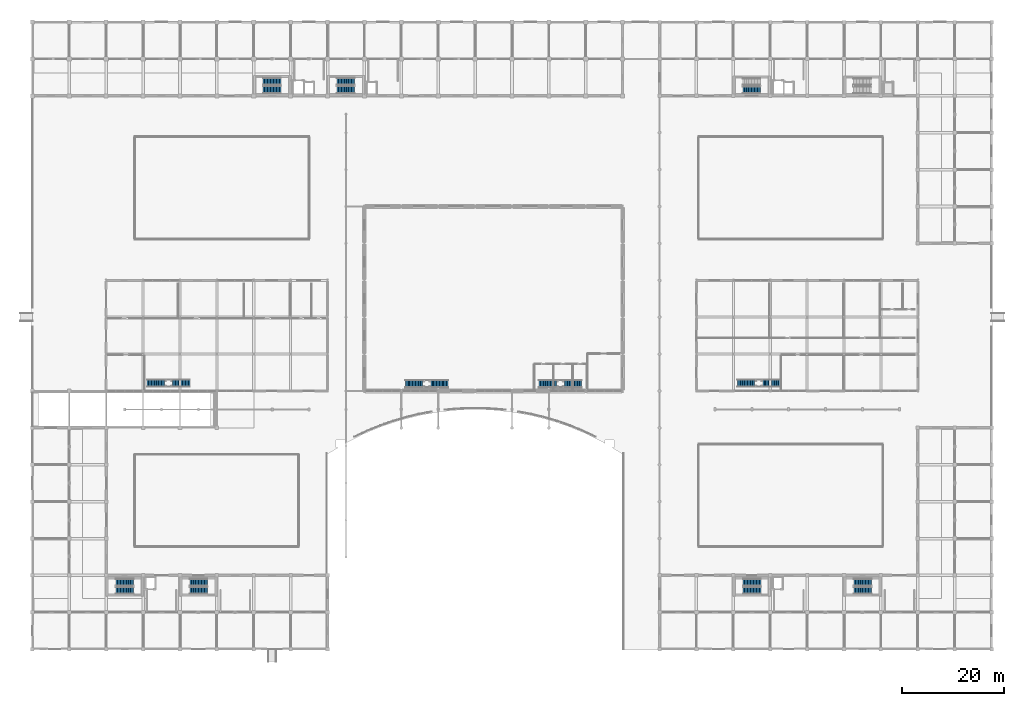
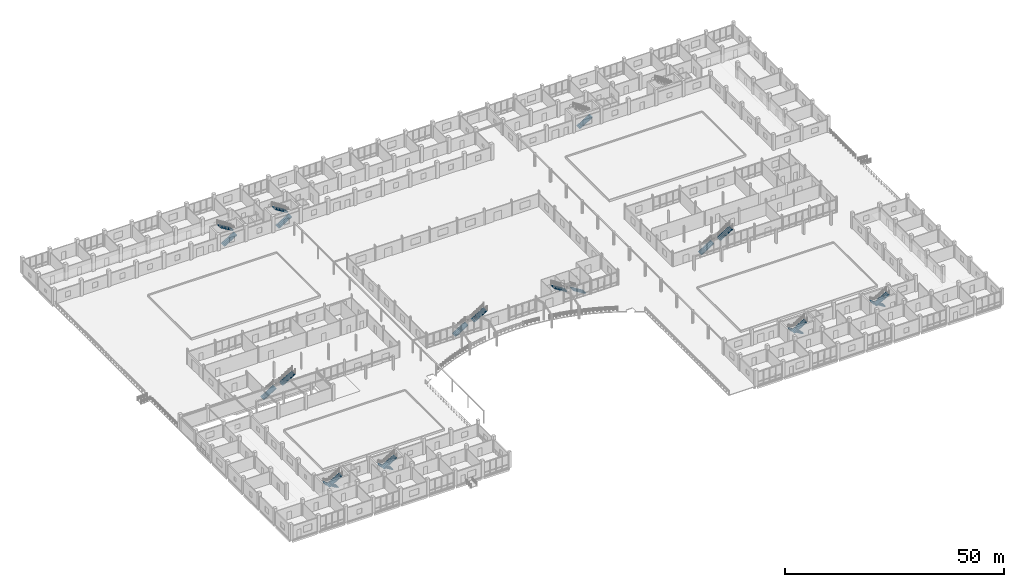
# One storey, part 127 of 139: 21 stair flights, 11 elements without a shape of their own.
"""IFC4 building model written with IfcOpenShell, lengths in metres."""

from ifc_helpers import new_model, si_unit, direction, frame, origin, place, context, subcontext, project, spatial, polyline, outline, extrude, material, type_object, element, aggregate, save


model = new_model("IFC4")

# Units and contexts
model_context = context("Model", 3, precision=1e-05, world=origin(), true_north=direction((0.0, 1.0)))
body_context = subcontext(model_context, "Body", "Model", "MODEL_VIEW")
ifc_project = project(units=[si_unit("LENGTHUNIT", "METRE"), si_unit("AREAUNIT", "SQUARE_METRE"), si_unit("VOLUMEUNIT", "CUBIC_METRE"), si_unit("PLANEANGLEUNIT", "RADIAN"), si_unit("MASSUNIT", "GRAM", prefix="KILO")], contexts=[model_context])

# Site, building, storey
site_placement = place(None, origin())
site = spatial("IfcSite", under=ifc_project, at=site_placement, CompositionType="ELEMENT")
building_placement = place(site_placement, origin())
building = spatial("IfcBuilding", under=site, at=building_placement, Name="Suanplinth Sawtooth Commons", CompositionType="ELEMENT")
storey_placement = place(building_placement, origin())
storey = spatial("IfcBuildingStorey", under=building, at=storey_placement, Name="L00", CompositionType="ELEMENT", Elevation=0.0)

# Stair, stair flights
ifc_material = material(Name="Concrete C40/50", Category="concrete")
stair_type_1 = type_object("IfcStairType", Name="ST-02", PredefinedType="USERDEFINED", material=ifc_material)
stair_1_placement = place(storey_placement, origin())
stair_1 = element("IfcStair", 1, at=stair_1_placement, inside=storey, type_object=stair_type_1, Name="L00 Exit Stair ST-N1", ObjectType="TWO_RETURN_STAIR", PredefinedType="USERDEFINED")
stair_flight_type_1 = type_object("IfcStairFlightType", Name="SF-02", PredefinedType="STRAIGHT", material=ifc_material)
stair_flight_1_placement = place(storey_placement, frame((45.050048828125, 109.175048828125, 0.0), z_axis=(0.0, 0.0, 1.0), x_axis=(1.0, 0.0, 0.0)))
stair_flight_1 = element("IfcStairFlight", 2, at=stair_flight_1_placement, type_object=stair_flight_type_1, Name="ST-02 flight 1", NumberOfRisers=13, NumberOfTreads=12, PredefinedType="STRAIGHT", RiserHeight=0.173076923, TreadLength=0.285, context=body_context, shape_type="SweptSolid", body=[
    extrude(outline(polyline([(0.0, 0.0), (0.0, 0.173095703125), (0.284912109375, 0.173095703125), (0.284912109375, 0.34619140625), (0.570068359375, 0.34619140625), (0.570068359375, 0.519287109375), (0.85498046875, 0.519287109375), (0.85498046875, 0.6923828125), (1.139892578125, 0.6923828125), (1.139892578125, 0.865478515625), (1.425048828125, 0.865478515625), (1.425048828125, 1.03857421875), (1.7099609375, 1.03857421875), (1.7099609375, 1.21142578125), (1.9951171875, 1.21142578125), (1.9951171875, 1.384521484375), (2.280029296875, 1.384521484375), (2.280029296875, 1.5576171875), (2.56494140625, 1.5576171875), (2.56494140625, 1.730712890625), (2.85009765625, 1.730712890625), (2.85009765625, 1.90380859375), (3.135009765625, 1.90380859375), (3.135009765625, 2.076904296875), (3.419921875, 2.076904296875), (3.419921875, 2.25), (3.419921875, 1.889892578125), (0.30810546875, 0.0), (0.0, 0.0)])), frame((0.0, 0.72509765625, 0.0), z_axis=(0.0, -1.0, 0.0), x_axis=(1.0, 0.0, 0.0)), (0.0, 0.0, 1.0), 1.449951171875),
])
stair_flight_2_placement = place(storey_placement, frame((48.469970703125, 110.824951171875, 2.25), z_axis=(0.0, 0.0, 1.0), x_axis=(-1.0, 0.0, 0.0)))
stair_flight_2 = element("IfcStairFlight", 3, at=stair_flight_2_placement, type_object=stair_flight_type_1, Name="ST-02 flight 2", NumberOfRisers=13, NumberOfTreads=12, PredefinedType="STRAIGHT", RiserHeight=0.173076923, TreadLength=0.285, context=body_context, shape_type="SweptSolid", body=[
    extrude(outline(polyline([(0.0, 0.0), (0.0, 0.173095703125), (0.284912109375, 0.173095703125), (0.284912109375, 0.34619140625), (0.570068359375, 0.34619140625), (0.570068359375, 0.519287109375), (0.85498046875, 0.519287109375), (0.85498046875, 0.6923828125), (1.139892578125, 0.6923828125), (1.139892578125, 0.865478515625), (1.425048828125, 0.865478515625), (1.425048828125, 1.03857421875), (1.7099609375, 1.03857421875), (1.7099609375, 1.21142578125), (1.9951171875, 1.21142578125), (1.9951171875, 1.384521484375), (2.280029296875, 1.384521484375), (2.280029296875, 1.5576171875), (2.56494140625, 1.5576171875), (2.56494140625, 1.730712890625), (2.85009765625, 1.730712890625), (2.85009765625, 1.90380859375), (3.135009765625, 1.90380859375), (3.135009765625, 2.076904296875), (3.419921875, 2.076904296875), (3.419921875, 2.25), (3.419921875, 1.889892578125), (0.30810546875, 0.0), (0.0, 0.0)])), frame((0.0, 0.72509765625, 0.0), z_axis=(0.0, -1.0, 0.0), x_axis=(1.0, 0.0, 0.0)), (0.0, 0.0, 1.0), 1.449951171875),
])
aggregate(stair_1, [stair_flight_1, stair_flight_2])

stair_2_placement = place(storey_placement, origin())
stair_2 = element("IfcStair", 4, at=stair_2_placement, inside=storey, type_object=stair_type_1, Name="L00 Exit Stair ST-N2", ObjectType="TWO_RETURN_STAIR", PredefinedType="USERDEFINED")
stair_flight_3_placement = place(storey_placement, frame((59.449951171875, 109.175048828125, 0.0), z_axis=(0.0, 0.0, 1.0), x_axis=(1.0, 0.0, 0.0)))
stair_flight_3 = element("IfcStairFlight", 5, at=stair_flight_3_placement, type_object=stair_flight_type_1, Name="ST-02 flight 1", NumberOfRisers=13, NumberOfTreads=12, PredefinedType="STRAIGHT", RiserHeight=0.173076923, TreadLength=0.285, context=body_context, shape_type="SweptSolid", body=[
    extrude(outline(polyline([(0.0, 0.0), (0.0, 0.173095703125), (0.284912109375, 0.173095703125), (0.284912109375, 0.34619140625), (0.570068359375, 0.34619140625), (0.570068359375, 0.519287109375), (0.85498046875, 0.519287109375), (0.85498046875, 0.6923828125), (1.139892578125, 0.6923828125), (1.139892578125, 0.865478515625), (1.425048828125, 0.865478515625), (1.425048828125, 1.03857421875), (1.7099609375, 1.03857421875), (1.7099609375, 1.21142578125), (1.9951171875, 1.21142578125), (1.9951171875, 1.384521484375), (2.280029296875, 1.384521484375), (2.280029296875, 1.5576171875), (2.56494140625, 1.5576171875), (2.56494140625, 1.730712890625), (2.85009765625, 1.730712890625), (2.85009765625, 1.90380859375), (3.135009765625, 1.90380859375), (3.135009765625, 2.076904296875), (3.419921875, 2.076904296875), (3.419921875, 2.25), (3.419921875, 1.889892578125), (0.30810546875, 0.0), (0.0, 0.0)])), frame((0.0, 0.72509765625, 0.0), z_axis=(0.0, -1.0, 0.0), x_axis=(1.0, 0.0, 0.0)), (0.0, 0.0, 1.0), 1.449951171875),
])
stair_flight_4_placement = place(storey_placement, frame((62.8701171875, 110.824951171875, 2.25), z_axis=(0.0, 0.0, 1.0), x_axis=(-1.0, 0.0, 0.0)))
stair_flight_4 = element("IfcStairFlight", 6, at=stair_flight_4_placement, type_object=stair_flight_type_1, Name="ST-02 flight 2", NumberOfRisers=13, NumberOfTreads=12, PredefinedType="STRAIGHT", RiserHeight=0.173076923, TreadLength=0.285, context=body_context, shape_type="SweptSolid", body=[
    extrude(outline(polyline([(0.0, 0.0), (0.0, 0.173095703125), (0.284912109375, 0.173095703125), (0.284912109375, 0.34619140625), (0.570068359375, 0.34619140625), (0.570068359375, 0.519287109375), (0.85498046875, 0.519287109375), (0.85498046875, 0.6923828125), (1.139892578125, 0.6923828125), (1.139892578125, 0.865478515625), (1.425048828125, 0.865478515625), (1.425048828125, 1.03857421875), (1.7099609375, 1.03857421875), (1.7099609375, 1.21142578125), (1.9951171875, 1.21142578125), (1.9951171875, 1.384521484375), (2.280029296875, 1.384521484375), (2.280029296875, 1.5576171875), (2.56494140625, 1.5576171875), (2.56494140625, 1.730712890625), (2.85009765625, 1.730712890625), (2.85009765625, 1.90380859375), (3.135009765625, 1.90380859375), (3.135009765625, 2.076904296875), (3.419921875, 2.076904296875), (3.419921875, 2.25), (3.419921875, 1.889892578125), (0.30810546875, 0.0), (0.0, 0.0)])), frame((0.0, 0.72509765625, 0.0), z_axis=(0.0, -1.0, 0.0), x_axis=(1.0, 0.0, 0.0)), (0.0, 0.0, 1.0), 1.449951171875),
])
aggregate(stair_2, [stair_flight_3, stair_flight_4])

# Stair, stair flight
stair_type_2 = type_object("IfcStairType", Name="ST-06", PredefinedType="USERDEFINED", material=ifc_material)
stair_3_placement = place(storey_placement, origin())
stair_3 = element("IfcStair", 7, at=stair_3_placement, inside=storey, type_object=stair_type_2, Name="L00 Exit Stair ST-E1", ObjectType="TWO_RETURN_STAIR", PredefinedType="USERDEFINED")
stair_flight_type_2 = type_object("IfcStairFlightType", Name="SF-06", PredefinedType="STRAIGHT", material=ifc_material)
stair_flight_5_placement = place(storey_placement, frame((138.64990234375, 109.14990234375, 0.0), z_axis=(0.0, 0.0, 1.0), x_axis=(1.0, 0.0, 0.0)))
stair_flight_5 = element("IfcStairFlight", 8, at=stair_flight_5_placement, type_object=stair_flight_type_2, Name="ST-06 flight 1", NumberOfRisers=13, NumberOfTreads=12, PredefinedType="STRAIGHT", RiserHeight=0.173076923, TreadLength=0.285, context=body_context, shape_type="SweptSolid", body=[
    extrude(outline(polyline([(0.0, 0.0), (0.0, 0.173095703125), (0.284912109375, 0.173095703125), (0.284912109375, 0.34619140625), (0.570068359375, 0.34619140625), (0.570068359375, 0.519287109375), (0.85498046875, 0.519287109375), (0.85498046875, 0.6923828125), (1.139892578125, 0.6923828125), (1.139892578125, 0.865478515625), (1.425048828125, 0.865478515625), (1.425048828125, 1.03857421875), (1.7099609375, 1.03857421875), (1.7099609375, 1.21142578125), (1.9951171875, 1.21142578125), (1.9951171875, 1.384521484375), (2.280029296875, 1.384521484375), (2.280029296875, 1.5576171875), (2.56494140625, 1.5576171875), (2.56494140625, 1.730712890625), (2.85009765625, 1.730712890625), (2.85009765625, 1.90380859375), (3.135009765625, 1.90380859375), (3.135009765625, 2.076904296875), (3.419921875, 2.076904296875), (3.419921875, 2.25), (3.419921875, 1.889892578125), (0.30810546875, 0.0), (0.0, 0.0)])), frame((0.0, 0.699951171875, 0.0), z_axis=(0.0, -1.0, 0.0), x_axis=(1.0, 0.0, 0.0)), (0.0, 0.0, 1.0), 1.39990234375),
])
aggregate(stair_3, [stair_flight_5])

# Stair, stair flights
stair_4_placement = place(storey_placement, origin())
stair_4 = element("IfcStair", 9, at=stair_4_placement, inside=storey, type_object=stair_type_2, Name="L00 Exit Stair ST-S1", ObjectType="TWO_RETURN_STAIR", PredefinedType="USERDEFINED")
stair_flight_6_placement = place(storey_placement, frame((142.14990234375, 13.050048828125, 0.0), z_axis=(0.0, 0.0, 1.0), x_axis=(-1.0, 0.0, 0.0)))
stair_flight_6 = element("IfcStairFlight", 10, at=stair_flight_6_placement, type_object=stair_flight_type_2, Name="ST-06 flight 1", NumberOfRisers=13, NumberOfTreads=12, PredefinedType="STRAIGHT", RiserHeight=0.173076923, TreadLength=0.285, context=body_context, shape_type="SweptSolid", body=[
    extrude(outline(polyline([(0.0, 0.0), (0.0, 0.173095703125), (0.284912109375, 0.173095703125), (0.284912109375, 0.34619140625), (0.570068359375, 0.34619140625), (0.570068359375, 0.519287109375), (0.85498046875, 0.519287109375), (0.85498046875, 0.6923828125), (1.139892578125, 0.6923828125), (1.139892578125, 0.865478515625), (1.425048828125, 0.865478515625), (1.425048828125, 1.03857421875), (1.7099609375, 1.03857421875), (1.7099609375, 1.21142578125), (1.9951171875, 1.21142578125), (1.9951171875, 1.384521484375), (2.280029296875, 1.384521484375), (2.280029296875, 1.5576171875), (2.56494140625, 1.5576171875), (2.56494140625, 1.730712890625), (2.85009765625, 1.730712890625), (2.85009765625, 1.90380859375), (3.135009765625, 1.90380859375), (3.135009765625, 2.076904296875), (3.419921875, 2.076904296875), (3.419921875, 2.25), (3.419921875, 1.889892578125), (0.30810546875, 0.0), (0.0, 0.0)])), frame((0.0, 0.699951171875, 0.0), z_axis=(0.0, -1.0, 0.0), x_axis=(1.0, 0.0, 0.0)), (0.0, 0.0, 1.0), 1.39990234375),
])
stair_flight_7_placement = place(storey_placement, frame((138.72998046875, 11.449951171875, 2.25), z_axis=(0.0, 0.0, 1.0), x_axis=(1.0, 0.0, 0.0)))
stair_flight_7 = element("IfcStairFlight", 11, at=stair_flight_7_placement, type_object=stair_flight_type_2, Name="ST-06 flight 2", NumberOfRisers=13, NumberOfTreads=12, PredefinedType="STRAIGHT", RiserHeight=0.173076923, TreadLength=0.285, context=body_context, shape_type="SweptSolid", body=[
    extrude(outline(polyline([(0.0, 0.0), (0.0, 0.173095703125), (0.284912109375, 0.173095703125), (0.284912109375, 0.34619140625), (0.570068359375, 0.34619140625), (0.570068359375, 0.519287109375), (0.85498046875, 0.519287109375), (0.85498046875, 0.6923828125), (1.139892578125, 0.6923828125), (1.139892578125, 0.865478515625), (1.425048828125, 0.865478515625), (1.425048828125, 1.03857421875), (1.7099609375, 1.03857421875), (1.7099609375, 1.21142578125), (1.9951171875, 1.21142578125), (1.9951171875, 1.384521484375), (2.280029296875, 1.384521484375), (2.280029296875, 1.5576171875), (2.56494140625, 1.5576171875), (2.56494140625, 1.730712890625), (2.85009765625, 1.730712890625), (2.85009765625, 1.90380859375), (3.135009765625, 1.90380859375), (3.135009765625, 2.076904296875), (3.419921875, 2.076904296875), (3.419921875, 2.25), (3.419921875, 1.889892578125), (0.30810546875, 0.0), (0.0, 0.0)])), frame((0.0, 0.699951171875, 0.0), z_axis=(0.0, -1.0, 0.0), x_axis=(1.0, 0.0, 0.0)), (0.0, 0.0, 1.0), 1.39990234375),
])
aggregate(stair_4, [stair_flight_6, stair_flight_7])

stair_5_placement = place(storey_placement, origin())
stair_5 = element("IfcStair", 12, at=stair_5_placement, inside=storey, type_object=stair_type_2, Name="L00 Exit Stair ST-S2", ObjectType="TWO_RETURN_STAIR", PredefinedType="USERDEFINED")
stair_flight_8_placement = place(storey_placement, frame((163.75, 13.050048828125, 0.0), z_axis=(0.0, 0.0, 1.0), x_axis=(-1.0, 0.0, 0.0)))
stair_flight_8 = element("IfcStairFlight", 13, at=stair_flight_8_placement, type_object=stair_flight_type_2, Name="ST-06 flight 1", NumberOfRisers=13, NumberOfTreads=12, PredefinedType="STRAIGHT", RiserHeight=0.173076923, TreadLength=0.285, context=body_context, shape_type="SweptSolid", body=[
    extrude(outline(polyline([(0.0, 0.0), (0.0, 0.173095703125), (0.284912109375, 0.173095703125), (0.284912109375, 0.34619140625), (0.570068359375, 0.34619140625), (0.570068359375, 0.519287109375), (0.85498046875, 0.519287109375), (0.85498046875, 0.6923828125), (1.139892578125, 0.6923828125), (1.139892578125, 0.865478515625), (1.425048828125, 0.865478515625), (1.425048828125, 1.03857421875), (1.7099609375, 1.03857421875), (1.7099609375, 1.21142578125), (1.9951171875, 1.21142578125), (1.9951171875, 1.384521484375), (2.280029296875, 1.384521484375), (2.280029296875, 1.5576171875), (2.56494140625, 1.5576171875), (2.56494140625, 1.730712890625), (2.85009765625, 1.730712890625), (2.85009765625, 1.90380859375), (3.135009765625, 1.90380859375), (3.135009765625, 2.076904296875), (3.419921875, 2.076904296875), (3.419921875, 2.25), (3.419921875, 1.889892578125), (0.30810546875, 0.0), (0.0, 0.0)])), frame((0.0, 0.699951171875, 0.0), z_axis=(0.0, -1.0, 0.0), x_axis=(1.0, 0.0, 0.0)), (0.0, 0.0, 1.0), 1.39990234375),
])
stair_flight_9_placement = place(storey_placement, frame((160.330078125, 11.449951171875, 2.25), z_axis=(0.0, 0.0, 1.0), x_axis=(1.0, 0.0, 0.0)))
stair_flight_9 = element("IfcStairFlight", 14, at=stair_flight_9_placement, type_object=stair_flight_type_2, Name="ST-06 flight 2", NumberOfRisers=13, NumberOfTreads=12, PredefinedType="STRAIGHT", RiserHeight=0.173076923, TreadLength=0.285, context=body_context, shape_type="SweptSolid", body=[
    extrude(outline(polyline([(0.0, 0.0), (0.0, 0.173095703125), (0.284912109375, 0.173095703125), (0.284912109375, 0.34619140625), (0.570068359375, 0.34619140625), (0.570068359375, 0.519287109375), (0.85498046875, 0.519287109375), (0.85498046875, 0.6923828125), (1.139892578125, 0.6923828125), (1.139892578125, 0.865478515625), (1.425048828125, 0.865478515625), (1.425048828125, 1.03857421875), (1.7099609375, 1.03857421875), (1.7099609375, 1.21142578125), (1.9951171875, 1.21142578125), (1.9951171875, 1.384521484375), (2.280029296875, 1.384521484375), (2.280029296875, 1.5576171875), (2.56494140625, 1.5576171875), (2.56494140625, 1.730712890625), (2.85009765625, 1.730712890625), (2.85009765625, 1.90380859375), (3.135009765625, 1.90380859375), (3.135009765625, 2.076904296875), (3.419921875, 2.076904296875), (3.419921875, 2.25), (3.419921875, 1.889892578125), (0.30810546875, 0.0), (0.0, 0.0)])), frame((0.0, 0.699951171875, 0.0), z_axis=(0.0, -1.0, 0.0), x_axis=(1.0, 0.0, 0.0)), (0.0, 0.0, 1.0), 1.39990234375),
])
aggregate(stair_5, [stair_flight_8, stair_flight_9])

stair_6_placement = place(storey_placement, origin())
stair_6 = element("IfcStair", 15, at=stair_6_placement, inside=storey, type_object=stair_type_2, Name="L00 Exit Stair ST-W1", ObjectType="TWO_RETURN_STAIR", PredefinedType="USERDEFINED")
stair_flight_10_placement = place(storey_placement, frame((19.75, 13.050048828125, 0.0), z_axis=(0.0, 0.0, 1.0), x_axis=(-1.0, 0.0, 0.0)))
stair_flight_10 = element("IfcStairFlight", 16, at=stair_flight_10_placement, type_object=stair_flight_type_2, Name="ST-06 flight 1", NumberOfRisers=13, NumberOfTreads=12, PredefinedType="STRAIGHT", RiserHeight=0.173076923, TreadLength=0.285, context=body_context, shape_type="SweptSolid", body=[
    extrude(outline(polyline([(0.0, 0.0), (0.0, 0.173095703125), (0.284912109375, 0.173095703125), (0.284912109375, 0.34619140625), (0.570068359375, 0.34619140625), (0.570068359375, 0.519287109375), (0.85498046875, 0.519287109375), (0.85498046875, 0.6923828125), (1.139892578125, 0.6923828125), (1.139892578125, 0.865478515625), (1.425048828125, 0.865478515625), (1.425048828125, 1.03857421875), (1.7099609375, 1.03857421875), (1.7099609375, 1.21142578125), (1.9951171875, 1.21142578125), (1.9951171875, 1.384521484375), (2.280029296875, 1.384521484375), (2.280029296875, 1.5576171875), (2.56494140625, 1.5576171875), (2.56494140625, 1.730712890625), (2.85009765625, 1.730712890625), (2.85009765625, 1.90380859375), (3.135009765625, 1.90380859375), (3.135009765625, 2.076904296875), (3.419921875, 2.076904296875), (3.419921875, 2.25), (3.419921875, 1.889892578125), (0.30810546875, 0.0), (0.0, 0.0)])), frame((0.0, 0.699951171875, 0.0), z_axis=(0.0, -1.0, 0.0), x_axis=(1.0, 0.0, 0.0)), (0.0, 0.0, 1.0), 1.39990234375),
])
stair_flight_11_placement = place(storey_placement, frame((16.330078125, 11.449951171875, 2.25), z_axis=(0.0, 0.0, 1.0), x_axis=(1.0, 0.0, 0.0)))
stair_flight_11 = element("IfcStairFlight", 17, at=stair_flight_11_placement, type_object=stair_flight_type_2, Name="ST-06 flight 2", NumberOfRisers=13, NumberOfTreads=12, PredefinedType="STRAIGHT", RiserHeight=0.173076923, TreadLength=0.285, context=body_context, shape_type="SweptSolid", body=[
    extrude(outline(polyline([(0.0, 0.0), (0.0, 0.173095703125), (0.284912109375, 0.173095703125), (0.284912109375, 0.34619140625), (0.570068359375, 0.34619140625), (0.570068359375, 0.519287109375), (0.85498046875, 0.519287109375), (0.85498046875, 0.6923828125), (1.139892578125, 0.6923828125), (1.139892578125, 0.865478515625), (1.425048828125, 0.865478515625), (1.425048828125, 1.03857421875), (1.7099609375, 1.03857421875), (1.7099609375, 1.21142578125), (1.9951171875, 1.21142578125), (1.9951171875, 1.384521484375), (2.280029296875, 1.384521484375), (2.280029296875, 1.5576171875), (2.56494140625, 1.5576171875), (2.56494140625, 1.730712890625), (2.85009765625, 1.730712890625), (2.85009765625, 1.90380859375), (3.135009765625, 1.90380859375), (3.135009765625, 2.076904296875), (3.419921875, 2.076904296875), (3.419921875, 2.25), (3.419921875, 1.889892578125), (0.30810546875, 0.0), (0.0, 0.0)])), frame((0.0, 0.699951171875, 0.0), z_axis=(0.0, -1.0, 0.0), x_axis=(1.0, 0.0, 0.0)), (0.0, 0.0, 1.0), 1.39990234375),
])
aggregate(stair_6, [stair_flight_10, stair_flight_11])

stair_7_placement = place(storey_placement, origin())
stair_7 = element("IfcStair", 18, at=stair_7_placement, inside=storey, type_object=stair_type_2, Name="L00 Exit Stair ST-W2", ObjectType="TWO_RETURN_STAIR", PredefinedType="USERDEFINED")
stair_flight_12_placement = place(storey_placement, frame((34.14990234375, 13.050048828125, 0.0), z_axis=(0.0, 0.0, 1.0), x_axis=(-1.0, 0.0, 0.0)))
stair_flight_12 = element("IfcStairFlight", 19, at=stair_flight_12_placement, type_object=stair_flight_type_2, Name="ST-06 flight 1", NumberOfRisers=13, NumberOfTreads=12, PredefinedType="STRAIGHT", RiserHeight=0.173076923, TreadLength=0.285, context=body_context, shape_type="SweptSolid", body=[
    extrude(outline(polyline([(0.0, 0.0), (0.0, 0.173095703125), (0.284912109375, 0.173095703125), (0.284912109375, 0.34619140625), (0.570068359375, 0.34619140625), (0.570068359375, 0.519287109375), (0.85498046875, 0.519287109375), (0.85498046875, 0.6923828125), (1.139892578125, 0.6923828125), (1.139892578125, 0.865478515625), (1.425048828125, 0.865478515625), (1.425048828125, 1.03857421875), (1.7099609375, 1.03857421875), (1.7099609375, 1.21142578125), (1.9951171875, 1.21142578125), (1.9951171875, 1.384521484375), (2.280029296875, 1.384521484375), (2.280029296875, 1.5576171875), (2.56494140625, 1.5576171875), (2.56494140625, 1.730712890625), (2.85009765625, 1.730712890625), (2.85009765625, 1.90380859375), (3.135009765625, 1.90380859375), (3.135009765625, 2.076904296875), (3.419921875, 2.076904296875), (3.419921875, 2.25), (3.419921875, 1.889892578125), (0.30810546875, 0.0), (0.0, 0.0)])), frame((0.0, 0.699951171875, 0.0), z_axis=(0.0, -1.0, 0.0), x_axis=(1.0, 0.0, 0.0)), (0.0, 0.0, 1.0), 1.39990234375),
])
stair_flight_13_placement = place(storey_placement, frame((30.72998046875, 11.449951171875, 2.25), z_axis=(0.0, 0.0, 1.0), x_axis=(1.0, 0.0, 0.0)))
stair_flight_13 = element("IfcStairFlight", 20, at=stair_flight_13_placement, type_object=stair_flight_type_2, Name="ST-06 flight 2", NumberOfRisers=13, NumberOfTreads=12, PredefinedType="STRAIGHT", RiserHeight=0.173076923, TreadLength=0.285, context=body_context, shape_type="SweptSolid", body=[
    extrude(outline(polyline([(0.0, 0.0), (0.0, 0.173095703125), (0.284912109375, 0.173095703125), (0.284912109375, 0.34619140625), (0.570068359375, 0.34619140625), (0.570068359375, 0.519287109375), (0.85498046875, 0.519287109375), (0.85498046875, 0.6923828125), (1.139892578125, 0.6923828125), (1.139892578125, 0.865478515625), (1.425048828125, 0.865478515625), (1.425048828125, 1.03857421875), (1.7099609375, 1.03857421875), (1.7099609375, 1.21142578125), (1.9951171875, 1.21142578125), (1.9951171875, 1.384521484375), (2.280029296875, 1.384521484375), (2.280029296875, 1.5576171875), (2.56494140625, 1.5576171875), (2.56494140625, 1.730712890625), (2.85009765625, 1.730712890625), (2.85009765625, 1.90380859375), (3.135009765625, 1.90380859375), (3.135009765625, 2.076904296875), (3.419921875, 2.076904296875), (3.419921875, 2.25), (3.419921875, 1.889892578125), (0.30810546875, 0.0), (0.0, 0.0)])), frame((0.0, 0.699951171875, 0.0), z_axis=(0.0, -1.0, 0.0), x_axis=(1.0, 0.0, 0.0)), (0.0, 0.0, 1.0), 1.39990234375),
])
aggregate(stair_7, [stair_flight_12, stair_flight_13])

stair_type_3 = type_object("IfcStairType", Name="ST-10", PredefinedType="STRAIGHT_RUN_STAIR", material=ifc_material)
stair_8_placement = place(storey_placement, origin())
stair_8 = element("IfcStair", 21, at=stair_8_placement, inside=storey, type_object=stair_type_3, Name="Community Hall West Gallery Stair", PredefinedType="STRAIGHT_RUN_STAIR")
stair_flight_type_3 = type_object("IfcStairFlightType", Name="SF-10", PredefinedType="STRAIGHT", material=ifc_material)
stair_flight_14_placement = place(storey_placement, frame((72.800048828125, 51.800048828125, 0.0), z_axis=(0.0, 0.0, 1.0), x_axis=(1.0, 0.0, 0.0)))
stair_flight_14 = element("IfcStairFlight", 22, at=stair_flight_14_placement, type_object=stair_flight_type_3, Name="ST-10 flight 1", NumberOfRisers=13, NumberOfTreads=12, PredefinedType="STRAIGHT", RiserHeight=0.173076923, TreadLength=0.28, context=body_context, shape_type="SweptSolid", body=[
    extrude(outline(polyline([(0.0, 0.0), (0.0, 0.173095703125), (0.280029296875, 0.173095703125), (0.280029296875, 0.34619140625), (0.56005859375, 0.34619140625), (0.56005859375, 0.519287109375), (0.840087890625, 0.519287109375), (0.840087890625, 0.6923828125), (1.1201171875, 0.6923828125), (1.1201171875, 0.865478515625), (1.39990234375, 0.865478515625), (1.39990234375, 1.03857421875), (1.679931640625, 1.03857421875), (1.679931640625, 1.21142578125), (1.9599609375, 1.21142578125), (1.9599609375, 1.384521484375), (2.239990234375, 1.384521484375), (2.239990234375, 1.5576171875), (2.52001953125, 1.5576171875), (2.52001953125, 1.730712890625), (2.800048828125, 1.730712890625), (2.800048828125, 1.90380859375), (3.080078125, 1.90380859375), (3.080078125, 2.076904296875), (3.360107421875, 2.076904296875), (3.360107421875, 2.25), (3.360107421875, 1.888916015625), (0.30419921875, 0.0), (0.0, 0.0)])), frame((0.0, 0.75, 0.0), z_axis=(0.0, -1.0, 0.0), x_axis=(1.0, 0.0, 0.0)), (0.0, 0.0, 1.0), 1.5),
])
stair_flight_15_placement = place(storey_placement, frame((77.760009765625, 51.800048828125, 2.25), z_axis=(0.0, 0.0, 1.0), x_axis=(1.0, 0.0, 0.0)))
stair_flight_15 = element("IfcStairFlight", 23, at=stair_flight_15_placement, type_object=stair_flight_type_3, Name="ST-10 flight 2", NumberOfRisers=13, NumberOfTreads=12, PredefinedType="STRAIGHT", RiserHeight=0.173076923, TreadLength=0.28, context=body_context, shape_type="SweptSolid", body=[
    extrude(outline(polyline([(0.0, 0.0), (0.0, 0.173095703125), (0.280029296875, 0.173095703125), (0.280029296875, 0.34619140625), (0.56005859375, 0.34619140625), (0.56005859375, 0.519287109375), (0.840087890625, 0.519287109375), (0.840087890625, 0.6923828125), (1.1201171875, 0.6923828125), (1.1201171875, 0.865478515625), (1.39990234375, 0.865478515625), (1.39990234375, 1.03857421875), (1.679931640625, 1.03857421875), (1.679931640625, 1.21142578125), (1.9599609375, 1.21142578125), (1.9599609375, 1.384521484375), (2.239990234375, 1.384521484375), (2.239990234375, 1.5576171875), (2.52001953125, 1.5576171875), (2.52001953125, 1.730712890625), (2.800048828125, 1.730712890625), (2.800048828125, 1.90380859375), (3.080078125, 1.90380859375), (3.080078125, 2.076904296875), (3.360107421875, 2.076904296875), (3.360107421875, 2.25), (3.360107421875, 1.888916015625), (0.30419921875, 0.0), (0.0, 0.0)])), frame((0.0, 0.75, 0.0), z_axis=(0.0, -1.0, 0.0), x_axis=(1.0, 0.0, 0.0)), (0.0, 0.0, 1.0), 1.5),
])
aggregate(stair_8, [stair_flight_14, stair_flight_15])

stair_9_placement = place(storey_placement, origin())
stair_9 = element("IfcStair", 24, at=stair_9_placement, inside=storey, type_object=stair_type_3, Name="Community Hall East Gallery Stair", PredefinedType="STRAIGHT_RUN_STAIR")
stair_flight_16_placement = place(storey_placement, frame((107.199951171875, 51.800048828125, 0.0), z_axis=(0.0, 0.0, 1.0), x_axis=(-1.0, 0.0, 0.0)))
stair_flight_16 = element("IfcStairFlight", 25, at=stair_flight_16_placement, type_object=stair_flight_type_3, Name="ST-10 flight 1", NumberOfRisers=13, NumberOfTreads=12, PredefinedType="STRAIGHT", RiserHeight=0.173076923, TreadLength=0.28, context=body_context, shape_type="SweptSolid", body=[
    extrude(outline(polyline([(0.0, 0.0), (0.0, 0.173095703125), (0.280029296875, 0.173095703125), (0.280029296875, 0.34619140625), (0.56005859375, 0.34619140625), (0.56005859375, 0.519287109375), (0.840087890625, 0.519287109375), (0.840087890625, 0.6923828125), (1.1201171875, 0.6923828125), (1.1201171875, 0.865478515625), (1.39990234375, 0.865478515625), (1.39990234375, 1.03857421875), (1.679931640625, 1.03857421875), (1.679931640625, 1.21142578125), (1.9599609375, 1.21142578125), (1.9599609375, 1.384521484375), (2.239990234375, 1.384521484375), (2.239990234375, 1.5576171875), (2.52001953125, 1.5576171875), (2.52001953125, 1.730712890625), (2.800048828125, 1.730712890625), (2.800048828125, 1.90380859375), (3.080078125, 1.90380859375), (3.080078125, 2.076904296875), (3.360107421875, 2.076904296875), (3.360107421875, 2.25), (3.360107421875, 1.888916015625), (0.30419921875, 0.0), (0.0, 0.0)])), frame((0.0, 0.75, 0.0), z_axis=(0.0, -1.0, 0.0), x_axis=(1.0, 0.0, 0.0)), (0.0, 0.0, 1.0), 1.5),
])
stair_flight_17_placement = place(storey_placement, frame((102.239990234375, 51.800048828125, 2.25), z_axis=(0.0, 0.0, 1.0), x_axis=(-1.0, 0.0, 0.0)))
stair_flight_17 = element("IfcStairFlight", 26, at=stair_flight_17_placement, type_object=stair_flight_type_3, Name="ST-10 flight 2", NumberOfRisers=13, NumberOfTreads=12, PredefinedType="STRAIGHT", RiserHeight=0.173076923, TreadLength=0.28, context=body_context, shape_type="SweptSolid", body=[
    extrude(outline(polyline([(0.0, 0.0), (0.0, 0.173095703125), (0.280029296875, 0.173095703125), (0.280029296875, 0.34619140625), (0.56005859375, 0.34619140625), (0.56005859375, 0.519287109375), (0.840087890625, 0.519287109375), (0.840087890625, 0.6923828125), (1.1201171875, 0.6923828125), (1.1201171875, 0.865478515625), (1.39990234375, 0.865478515625), (1.39990234375, 1.03857421875), (1.679931640625, 1.03857421875), (1.679931640625, 1.21142578125), (1.9599609375, 1.21142578125), (1.9599609375, 1.384521484375), (2.239990234375, 1.384521484375), (2.239990234375, 1.5576171875), (2.52001953125, 1.5576171875), (2.52001953125, 1.730712890625), (2.800048828125, 1.730712890625), (2.800048828125, 1.90380859375), (3.080078125, 1.90380859375), (3.080078125, 2.076904296875), (3.360107421875, 2.076904296875), (3.360107421875, 2.25), (3.360107421875, 1.888916015625), (0.30419921875, 0.0), (0.0, 0.0)])), frame((0.0, 0.75, 0.0), z_axis=(0.0, -1.0, 0.0), x_axis=(1.0, 0.0, 0.0)), (0.0, 0.0, 1.0), 1.5),
])
aggregate(stair_9, [stair_flight_16, stair_flight_17])

stair_10_placement = place(storey_placement, origin())
stair_10 = element("IfcStair", 27, at=stair_10_placement, inside=storey, type_object=stair_type_3, Name="East Nursery Pavilion Feature Stair", PredefinedType="STRAIGHT_RUN_STAIR")
stair_flight_18_placement = place(storey_placement, frame((137.60009765625, 51.89990234375, 0.0), z_axis=(0.0, 0.0, 1.0), x_axis=(1.0, 0.0, 0.0)))
stair_flight_18 = element("IfcStairFlight", 28, at=stair_flight_18_placement, type_object=stair_flight_type_3, Name="ST-10 flight 1", NumberOfRisers=13, NumberOfTreads=12, PredefinedType="STRAIGHT", RiserHeight=0.173076923, TreadLength=0.28, context=body_context, shape_type="SweptSolid", body=[
    extrude(outline(polyline([(0.0, 0.0), (0.0, 0.173095703125), (0.280029296875, 0.173095703125), (0.280029296875, 0.34619140625), (0.56005859375, 0.34619140625), (0.56005859375, 0.519287109375), (0.840087890625, 0.519287109375), (0.840087890625, 0.6923828125), (1.1201171875, 0.6923828125), (1.1201171875, 0.865478515625), (1.39990234375, 0.865478515625), (1.39990234375, 1.03857421875), (1.679931640625, 1.03857421875), (1.679931640625, 1.21142578125), (1.9599609375, 1.21142578125), (1.9599609375, 1.384521484375), (2.239990234375, 1.384521484375), (2.239990234375, 1.5576171875), (2.52001953125, 1.5576171875), (2.52001953125, 1.730712890625), (2.800048828125, 1.730712890625), (2.800048828125, 1.90380859375), (3.080078125, 1.90380859375), (3.080078125, 2.076904296875), (3.360107421875, 2.076904296875), (3.360107421875, 2.25), (3.360107421875, 1.888916015625), (0.30419921875, 0.0), (0.0, 0.0)])), frame((0.0, 0.75, 0.0), z_axis=(0.0, -1.0, 0.0), x_axis=(1.0, 0.0, 0.0)), (0.0, 0.0, 1.0), 1.5),
])
stair_flight_19_placement = place(storey_placement, frame((142.56005859375, 51.89990234375, 2.25), z_axis=(0.0, 0.0, 1.0), x_axis=(1.0, 0.0, 0.0)))
stair_flight_19 = element("IfcStairFlight", 29, at=stair_flight_19_placement, type_object=stair_flight_type_3, Name="ST-10 flight 2", NumberOfRisers=13, NumberOfTreads=12, PredefinedType="STRAIGHT", RiserHeight=0.173076923, TreadLength=0.28, context=body_context, shape_type="SweptSolid", body=[
    extrude(outline(polyline([(0.0, 0.0), (0.0, 0.173095703125), (0.280029296875, 0.173095703125), (0.280029296875, 0.34619140625), (0.56005859375, 0.34619140625), (0.56005859375, 0.519287109375), (0.840087890625, 0.519287109375), (0.840087890625, 0.6923828125), (1.1201171875, 0.6923828125), (1.1201171875, 0.865478515625), (1.39990234375, 0.865478515625), (1.39990234375, 1.03857421875), (1.679931640625, 1.03857421875), (1.679931640625, 1.21142578125), (1.9599609375, 1.21142578125), (1.9599609375, 1.384521484375), (2.239990234375, 1.384521484375), (2.239990234375, 1.5576171875), (2.52001953125, 1.5576171875), (2.52001953125, 1.730712890625), (2.800048828125, 1.730712890625), (2.800048828125, 1.90380859375), (3.080078125, 1.90380859375), (3.080078125, 2.076904296875), (3.360107421875, 2.076904296875), (3.360107421875, 2.25), (3.360107421875, 1.888916015625), (0.30419921875, 0.0), (0.0, 0.0)])), frame((0.0, 0.75, 0.0), z_axis=(0.0, -1.0, 0.0), x_axis=(1.0, 0.0, 0.0)), (0.0, 0.0, 1.0), 1.5),
])
aggregate(stair_10, [stair_flight_18, stair_flight_19])

stair_11_placement = place(storey_placement, origin())
stair_11 = element("IfcStair", 30, at=stair_11_placement, inside=storey, type_object=stair_type_3, Name="West Market Mezzanine Stair", PredefinedType="STRAIGHT_RUN_STAIR")
stair_flight_20_placement = place(storey_placement, frame((22.39990234375, 51.89990234375, 0.0), z_axis=(0.0, 0.0, 1.0), x_axis=(1.0, 0.0, 0.0)))
stair_flight_20 = element("IfcStairFlight", 31, at=stair_flight_20_placement, type_object=stair_flight_type_3, Name="ST-10 flight 1", NumberOfRisers=13, NumberOfTreads=12, PredefinedType="STRAIGHT", RiserHeight=0.173076923, TreadLength=0.28, context=body_context, shape_type="SweptSolid", body=[
    extrude(outline(polyline([(0.0, 0.0), (0.0, 0.173095703125), (0.280029296875, 0.173095703125), (0.280029296875, 0.34619140625), (0.56005859375, 0.34619140625), (0.56005859375, 0.519287109375), (0.840087890625, 0.519287109375), (0.840087890625, 0.6923828125), (1.1201171875, 0.6923828125), (1.1201171875, 0.865478515625), (1.39990234375, 0.865478515625), (1.39990234375, 1.03857421875), (1.679931640625, 1.03857421875), (1.679931640625, 1.21142578125), (1.9599609375, 1.21142578125), (1.9599609375, 1.384521484375), (2.239990234375, 1.384521484375), (2.239990234375, 1.5576171875), (2.52001953125, 1.5576171875), (2.52001953125, 1.730712890625), (2.800048828125, 1.730712890625), (2.800048828125, 1.90380859375), (3.080078125, 1.90380859375), (3.080078125, 2.076904296875), (3.360107421875, 2.076904296875), (3.360107421875, 2.25), (3.360107421875, 1.888916015625), (0.30419921875, 0.0), (0.0, 0.0)])), frame((0.0, 0.75, 0.0), z_axis=(0.0, -1.0, 0.0), x_axis=(1.0, 0.0, 0.0)), (0.0, 0.0, 1.0), 1.5),
])
stair_flight_21_placement = place(storey_placement, frame((27.360107421875, 51.89990234375, 2.25), z_axis=(0.0, 0.0, 1.0), x_axis=(1.0, 0.0, 0.0)))
stair_flight_21 = element("IfcStairFlight", 32, at=stair_flight_21_placement, type_object=stair_flight_type_3, Name="ST-10 flight 2", NumberOfRisers=13, NumberOfTreads=12, PredefinedType="STRAIGHT", RiserHeight=0.173076923, TreadLength=0.28, context=body_context, shape_type="SweptSolid", body=[
    extrude(outline(polyline([(0.0, 0.0), (0.0, 0.173095703125), (0.280029296875, 0.173095703125), (0.280029296875, 0.34619140625), (0.56005859375, 0.34619140625), (0.56005859375, 0.519287109375), (0.840087890625, 0.519287109375), (0.840087890625, 0.6923828125), (1.1201171875, 0.6923828125), (1.1201171875, 0.865478515625), (1.39990234375, 0.865478515625), (1.39990234375, 1.03857421875), (1.679931640625, 1.03857421875), (1.679931640625, 1.21142578125), (1.9599609375, 1.21142578125), (1.9599609375, 1.384521484375), (2.239990234375, 1.384521484375), (2.239990234375, 1.5576171875), (2.52001953125, 1.5576171875), (2.52001953125, 1.730712890625), (2.800048828125, 1.730712890625), (2.800048828125, 1.90380859375), (3.080078125, 1.90380859375), (3.080078125, 2.076904296875), (3.360107421875, 2.076904296875), (3.360107421875, 2.25), (3.360107421875, 1.888916015625), (0.30419921875, 0.0), (0.0, 0.0)])), frame((0.0, 0.75, 0.0), z_axis=(0.0, -1.0, 0.0), x_axis=(1.0, 0.0, 0.0)), (0.0, 0.0, 1.0), 1.5),
])
aggregate(stair_11, [stair_flight_20, stair_flight_21])

save(model, "model.ifc")
